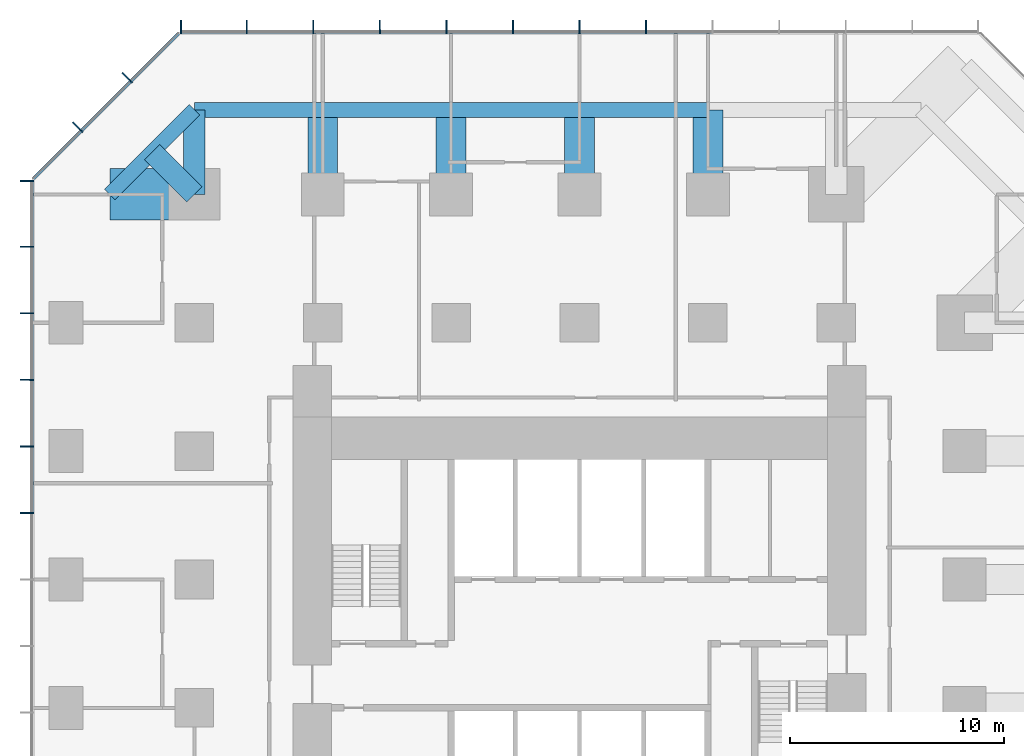
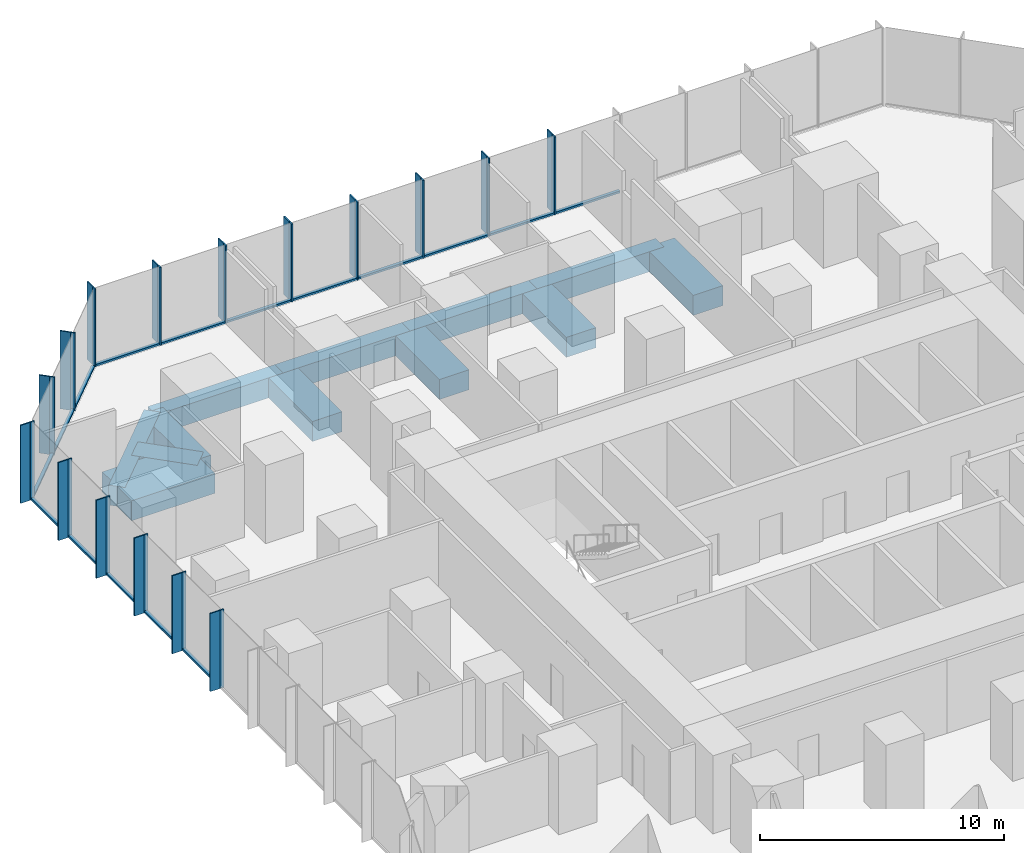
# One storey, part 5 of 12: 48 members, 12 beams, 3 elements without a shape of their own.
"""IFC4 building model written with IfcOpenShell, lengths in metres."""

from ifc_helpers import new_model, si_unit, direction, frame, origin, origin_2d, place, context, subcontext, project, spatial, rectangle, extrude, material, layer, layer_set, material_profile, profile_set, type_object, element, aggregate, save


model = new_model("IFC4")

# Units and contexts
model_context = context("Model", 3, precision=1e-05, world=origin(), true_north=direction((0.0, 1.0)))
body_context = subcontext(model_context, "Body", "Model", "MODEL_VIEW")
ifc_project = project(units=[si_unit("LENGTHUNIT", "METRE"), si_unit("AREAUNIT", "SQUARE_METRE"), si_unit("VOLUMEUNIT", "CUBIC_METRE"), si_unit("PLANEANGLEUNIT", "RADIAN"), si_unit("MASSUNIT", "GRAM", prefix="KILO")], contexts=[model_context])

# Site, building, storey
site_placement = place(None, origin())
site = spatial("IfcSite", under=ifc_project, at=site_placement, CompositionType="ELEMENT")
building_placement = place(site_placement, origin())
building = spatial("IfcBuilding", under=site, at=building_placement, Name="Highveld Stack Headquarters", CompositionType="ELEMENT")
storey_placement = place(building_placement, frame((0.0, 0.0, 65.0)))
storey = spatial("IfcBuildingStorey", under=building, at=storey_placement, Name="L15", CompositionType="ELEMENT", Elevation=65.0)

# Beams
ifc_material_1 = material(Name="Concrete C60/75", Category="concrete")
ifc_material_profile_1 = material_profile(ifc_material_1, rectangle(XDim=1.0, YDim=1.0, at=origin_2d()), Name="RC 1000x1000")
ifc_profile_set_1 = profile_set([ifc_material_profile_1], Name="Concrete C60/75")
beam_type_1 = type_object("IfcBeamType", Name="CANTILEVER RIB RC 1000x1000", PredefinedType="USERDEFINED", material=ifc_profile_set_1)
beam_1_placement = place(storey_placement, frame((-12.0, 24.0, -0.75), z_axis=(0.0, 1.0, 0.0), x_axis=(-1.0, 0.0, 0.0)))
element("IfcBeam", 1, at=beam_1_placement, inside=storey, type_object=beam_type_1, Name="Cantilever rib 4/J L15", ObjectType="CANTILEVER RIB", PredefinedType="USERDEFINED", context=body_context, shape_type="SweptSolid", body=[
    extrude(rectangle(XDim=1.0, YDim=1.0, at=origin_2d()), origin(), (0.0, 0.0, 1.0), 3.949951171875),
])
beam_2_placement = place(storey_placement, frame((-12.0, 24.0, -0.75), z_axis=(-0.707106781187, 0.707106781187, 0.0), x_axis=(-0.707106781187, -0.707106781187, 0.0)))
element("IfcBeam", 2, at=beam_2_placement, inside=storey, type_object=beam_type_1, Name="Cantilever rib 4/J L15", ObjectType="CANTILEVER RIB", PredefinedType="USERDEFINED", context=body_context, shape_type="SweptSolid", body=[
    extrude(rectangle(XDim=1.0, YDim=1.0, at=origin_2d()), origin(), (0.0, 0.0, 1.0), 2.793212890625),
])
ifc_material_2 = material(Name="Concrete C60/75", Category="concrete")
ifc_material_profile_2 = material_profile(ifc_material_2, rectangle(XDim=1.39990234375, YDim=1.0, at=origin_2d()), Name="RC 1400x1000")
ifc_profile_set_2 = profile_set([ifc_material_profile_2], Name="Concrete C60/75")
beam_type_2 = type_object("IfcBeamType", Name="CANTILEVER RIB RC 1400x1000", PredefinedType="USERDEFINED", material=ifc_profile_set_2)
for number, where, z_axis, x_axis, name in (
    (3, (-6.0, 24.0, -0.75), (0.0, 1.0, 0.0), (-1.0, 0.0, 0.0), "Cantilever rib 5/J L15"),
    (4, (0.0, 24.0, -0.75), (0.0, 1.0, 0.0), (-1.0, 0.0, 0.0), "Cantilever rib 6/J L15"),
    (5, (6.0, 24.0, -0.75), (0.0, 1.0, 0.0), (-1.0, 0.0, 0.0), "Cantilever rib 7/J L15"),
    (6, (12.0, 24.0, -0.75), (0.0, 1.0, 0.0), (-1.0, 0.0, 0.0), "Cantilever rib 8/J L15"),
):
    element("IfcBeam", number, at=place(storey_placement, frame(where, z_axis=z_axis, x_axis=x_axis)), inside=storey, type_object=beam_type_2, Name=name, ObjectType="CANTILEVER RIB", PredefinedType="USERDEFINED", context=body_context, shape_type="SweptSolid", body=[
        extrude(rectangle(XDim=1.39990234375, YDim=1.0, at=origin_2d()), origin(), (0.0, 0.0, 1.0), 3.949951171875),
    ])
ifc_material_3 = material(Name="Concrete C60/75", Category="concrete")
ifc_material_profile_3 = material_profile(ifc_material_3, rectangle(XDim=2.39990234375, YDim=1.0, at=origin_2d()), Name="RC 2400x1000")
ifc_profile_set_3 = profile_set([ifc_material_profile_3], Name="Concrete C60/75")
beam_type_3 = type_object("IfcBeamType", Name="CANTILEVER RIB RC 2400x1000", PredefinedType="USERDEFINED", material=ifc_profile_set_3)
beam_3_placement = place(storey_placement, frame((-12.0, 24.0, -0.75), z_axis=(-1.0, 0.0, 0.0), x_axis=(0.0, -1.0, 0.0)))
element("IfcBeam", 7, at=beam_3_placement, inside=storey, type_object=beam_type_3, Name="Cantilever rib 4/J L15", ObjectType="CANTILEVER RIB", PredefinedType="USERDEFINED", context=body_context, shape_type="SweptSolid", body=[
    extrude(rectangle(XDim=2.39990234375, YDim=1.0, at=origin_2d()), origin(), (0.0, 0.0, 1.0), 3.949951171875),
])

# Curtain wall, members
ifc_material_4 = material(Name="Aluminium bronze anodised", Category="aluminium")
ifc_layer_1 = layer(ifc_material_4, 0.199951171875)
ifc_layer_set_1 = layer_set([ifc_layer_1], Name="Aluminium bronze anodised")
curtain_wall_type_1 = type_object("IfcCurtainWallType", Name="CW1 TOWER UNITISED CURTAIN WALL", PredefinedType="NOTDEFINED", material=ifc_layer_set_1)
curtain_wall_1_placement = place(storey_placement, origin())
curtain_wall_1 = element("IfcCurtainWall", 8, at=curtain_wall_1_placement, inside=storey, type_object=curtain_wall_type_1, Name="Curtain wall CW1 L15 N", PredefinedType="NOTDEFINED")
ifc_material_5 = material(Name="Aluminium bronze anodised", Category="aluminium")
ifc_material_profile_4 = material_profile(ifc_material_5, rectangle(XDim=0.449951171875, YDim=0.06005859375, at=origin_2d()), Name="FIN 450x60")
ifc_profile_set_4 = profile_set([ifc_material_profile_4], Name="Aluminium bronze anodised")
member_type_1 = type_object("IfcMemberType", Name="CW1 BRONZE FIN 450x60", PredefinedType="USERDEFINED", material=ifc_profile_set_4)
member_1_placement = place(storey_placement, frame((9.110595703125, 31.925048828125, 0.0), z_axis=(0.0, 0.0, 1.0), x_axis=(0.0, -1.0, 0.0)))
member_1 = element("IfcMember", 9, at=member_1_placement, type_object=member_type_1, Name="CW1 fin L15 6", ObjectType="FIN", PredefinedType="USERDEFINED", context=body_context, shape_type="SweptSolid", body=[
    extrude(rectangle(XDim=0.449951171875, YDim=0.06005859375, at=origin_2d()), origin(), (0.0, 0.0, 1.0), 3.89990234375),
])
member_2_placement = place(storey_placement, frame((6.0, 31.925048828125, 0.0), z_axis=(0.0, 0.0, 1.0), x_axis=(0.0, -1.0, 0.0)))
member_2 = element("IfcMember", 10, at=member_2_placement, type_object=member_type_1, Name="CW1 fin L15 7", ObjectType="FIN", PredefinedType="USERDEFINED", context=body_context, shape_type="SweptSolid", body=[
    extrude(rectangle(XDim=0.449951171875, YDim=0.06005859375, at=origin_2d()), origin(), (0.0, 0.0, 1.0), 3.89990234375),
])
member_3_placement = place(storey_placement, frame((2.889404296875, 31.925048828125, 0.0), z_axis=(0.0, 0.0, 1.0), x_axis=(0.0, -1.0, 0.0)))
member_3 = element("IfcMember", 11, at=member_3_placement, type_object=member_type_1, Name="CW1 fin L15 8", ObjectType="FIN", PredefinedType="USERDEFINED", context=body_context, shape_type="SweptSolid", body=[
    extrude(rectangle(XDim=0.449951171875, YDim=0.06005859375, at=origin_2d()), origin(), (0.0, 0.0, 1.0), 3.89990234375),
])
member_4_placement = place(storey_placement, frame((-0.220947265625, 31.925048828125, 0.0), z_axis=(0.0, 0.0, 1.0), x_axis=(0.0, -1.0, 0.0)))
member_4 = element("IfcMember", 12, at=member_4_placement, type_object=member_type_1, Name="CW1 fin L15 9", ObjectType="FIN", PredefinedType="USERDEFINED", context=body_context, shape_type="SweptSolid", body=[
    extrude(rectangle(XDim=0.449951171875, YDim=0.06005859375, at=origin_2d()), origin(), (0.0, 0.0, 1.0), 3.89990234375),
])
member_5_placement = place(storey_placement, frame((-3.331298828125, 31.925048828125, 0.0), z_axis=(0.0, 0.0, 1.0), x_axis=(0.0, -1.0, 0.0)))
member_5 = element("IfcMember", 13, at=member_5_placement, type_object=member_type_1, Name="CW1 fin L15 10", ObjectType="FIN", PredefinedType="USERDEFINED", context=body_context, shape_type="SweptSolid", body=[
    extrude(rectangle(XDim=0.449951171875, YDim=0.06005859375, at=origin_2d()), origin(), (0.0, 0.0, 1.0), 3.89990234375),
])
member_6_placement = place(storey_placement, frame((-6.44189453125, 31.925048828125, 0.0), z_axis=(0.0, 0.0, 1.0), x_axis=(0.0, -1.0, 0.0)))
member_6 = element("IfcMember", 14, at=member_6_placement, type_object=member_type_1, Name="CW1 fin L15 11", ObjectType="FIN", PredefinedType="USERDEFINED", context=body_context, shape_type="SweptSolid", body=[
    extrude(rectangle(XDim=0.449951171875, YDim=0.06005859375, at=origin_2d()), origin(), (0.0, 0.0, 1.0), 3.89990234375),
])
member_7_placement = place(storey_placement, frame((-9.55224609375, 31.925048828125, 0.0), z_axis=(0.0, 0.0, 1.0), x_axis=(0.0, -1.0, 0.0)))
member_7 = element("IfcMember", 15, at=member_7_placement, type_object=member_type_1, Name="CW1 fin L15 12", ObjectType="FIN", PredefinedType="USERDEFINED", context=body_context, shape_type="SweptSolid", body=[
    extrude(rectangle(XDim=0.449951171875, YDim=0.06005859375, at=origin_2d()), origin(), (0.0, 0.0, 1.0), 3.89990234375),
])
member_8_placement = place(storey_placement, frame((-12.630126953125, 31.925048828125, 0.0), z_axis=(0.0, 0.0, 1.0), x_axis=(0.0, -1.0, 0.0)))
member_8 = element("IfcMember", 16, at=member_8_placement, type_object=member_type_1, Name="CW1 fin L15 13", ObjectType="FIN", PredefinedType="USERDEFINED", context=body_context, shape_type="SweptSolid", body=[
    extrude(rectangle(XDim=0.449951171875, YDim=0.06005859375, at=origin_2d()), origin(), (0.0, 0.0, 1.0), 3.89990234375),
])

curtain_wall_2_placement = place(storey_placement, origin())
curtain_wall_2 = element("IfcCurtainWall", 17, at=curtain_wall_2_placement, inside=storey, type_object=curtain_wall_type_1, Name="Curtain wall CW1 L15 W", PredefinedType="NOTDEFINED")
member_9_placement = place(storey_placement, frame((-19.925048828125, 24.630126953125, 0.0), z_axis=(0.0, 0.0, 1.0), x_axis=(1.0, 0.0, 0.0)))
member_9 = element("IfcMember", 18, at=member_9_placement, type_object=member_type_1, Name="CW1 fin L15 1", ObjectType="FIN", PredefinedType="USERDEFINED", context=body_context, shape_type="SweptSolid", body=[
    extrude(rectangle(XDim=0.449951171875, YDim=0.06005859375, at=origin_2d()), origin(), (0.0, 0.0, 1.0), 3.89990234375),
])
member_10_placement = place(storey_placement, frame((-19.925048828125, 21.55224609375, 0.0), z_axis=(0.0, 0.0, 1.0), x_axis=(1.0, 0.0, 0.0)))
member_10 = element("IfcMember", 19, at=member_10_placement, type_object=member_type_1, Name="CW1 fin L15 2", ObjectType="FIN", PredefinedType="USERDEFINED", context=body_context, shape_type="SweptSolid", body=[
    extrude(rectangle(XDim=0.449951171875, YDim=0.06005859375, at=origin_2d()), origin(), (0.0, 0.0, 1.0), 3.89990234375),
])
member_11_placement = place(storey_placement, frame((-19.925048828125, 18.44189453125, 0.0), z_axis=(0.0, 0.0, 1.0), x_axis=(1.0, 0.0, 0.0)))
member_11 = element("IfcMember", 20, at=member_11_placement, type_object=member_type_1, Name="CW1 fin L15 3", ObjectType="FIN", PredefinedType="USERDEFINED", context=body_context, shape_type="SweptSolid", body=[
    extrude(rectangle(XDim=0.449951171875, YDim=0.06005859375, at=origin_2d()), origin(), (0.0, 0.0, 1.0), 3.89990234375),
])
member_12_placement = place(storey_placement, frame((-19.925048828125, 15.331298828125, 0.0), z_axis=(0.0, 0.0, 1.0), x_axis=(1.0, 0.0, 0.0)))
member_12 = element("IfcMember", 21, at=member_12_placement, type_object=member_type_1, Name="CW1 fin L15 4", ObjectType="FIN", PredefinedType="USERDEFINED", context=body_context, shape_type="SweptSolid", body=[
    extrude(rectangle(XDim=0.449951171875, YDim=0.06005859375, at=origin_2d()), origin(), (0.0, 0.0, 1.0), 3.89990234375),
])
member_13_placement = place(storey_placement, frame((-19.925048828125, 12.220947265625, 0.0), z_axis=(0.0, 0.0, 1.0), x_axis=(1.0, 0.0, 0.0)))
member_13 = element("IfcMember", 22, at=member_13_placement, type_object=member_type_1, Name="CW1 fin L15 5", ObjectType="FIN", PredefinedType="USERDEFINED", context=body_context, shape_type="SweptSolid", body=[
    extrude(rectangle(XDim=0.449951171875, YDim=0.06005859375, at=origin_2d()), origin(), (0.0, 0.0, 1.0), 3.89990234375),
])
member_14_placement = place(storey_placement, frame((-19.925048828125, 9.110595703125, 0.0), z_axis=(0.0, 0.0, 1.0), x_axis=(1.0, 0.0, 0.0)))
member_14 = element("IfcMember", 23, at=member_14_placement, type_object=member_type_1, Name="CW1 fin L15 6", ObjectType="FIN", PredefinedType="USERDEFINED", context=body_context, shape_type="SweptSolid", body=[
    extrude(rectangle(XDim=0.449951171875, YDim=0.06005859375, at=origin_2d()), origin(), (0.0, 0.0, 1.0), 3.89990234375),
])

# Member
ifc_material_6 = material(Name="Aluminium bronze anodised", Category="aluminium")
ifc_material_profile_5 = material_profile(ifc_material_6, rectangle(XDim=0.199951171875, YDim=0.06494140625, at=origin_2d()), Name="CW1 MULLION 65x200")
ifc_profile_set_5 = profile_set([ifc_material_profile_5], Name="Aluminium bronze anodised")
member_type_2 = type_object("IfcMemberType", Name="CW1 MULLION 65x200", PredefinedType="MULLION", material=ifc_profile_set_5)
member_15_placement = place(storey_placement, frame((9.110595703125, 31.60009765625, 0.0), z_axis=(0.0, 0.0, 1.0), x_axis=(0.0, -1.0, 0.0)))
member_15 = element("IfcMember", 24, at=member_15_placement, type_object=member_type_2, Name="CW1 mullion L15 6", PredefinedType="MULLION", context=body_context, shape_type="SweptSolid", body=[
    extrude(rectangle(XDim=0.199951171875, YDim=0.06494140625, at=origin_2d()), origin(), (0.0, 0.0, 1.0), 3.89990234375),
])

member_16_placement = place(storey_placement, frame((6.0, 31.60009765625, 0.0), z_axis=(0.0, 0.0, 1.0), x_axis=(0.0, -1.0, 0.0)))
member_16 = element("IfcMember", 25, at=member_16_placement, type_object=member_type_2, Name="CW1 mullion L15 7", PredefinedType="MULLION", context=body_context, shape_type="SweptSolid", body=[
    extrude(rectangle(XDim=0.199951171875, YDim=0.06494140625, at=origin_2d()), origin(), (0.0, 0.0, 1.0), 3.89990234375),
])

member_17_placement = place(storey_placement, frame((2.889404296875, 31.60009765625, 0.0), z_axis=(0.0, 0.0, 1.0), x_axis=(0.0, -1.0, 0.0)))
member_17 = element("IfcMember", 26, at=member_17_placement, type_object=member_type_2, Name="CW1 mullion L15 8", PredefinedType="MULLION", context=body_context, shape_type="SweptSolid", body=[
    extrude(rectangle(XDim=0.199951171875, YDim=0.06494140625, at=origin_2d()), origin(), (0.0, 0.0, 1.0), 3.89990234375),
])

member_18_placement = place(storey_placement, frame((-0.220947265625, 31.60009765625, 0.0), z_axis=(0.0, 0.0, 1.0), x_axis=(0.0, -1.0, 0.0)))
member_18 = element("IfcMember", 27, at=member_18_placement, type_object=member_type_2, Name="CW1 mullion L15 9", PredefinedType="MULLION", context=body_context, shape_type="SweptSolid", body=[
    extrude(rectangle(XDim=0.199951171875, YDim=0.06494140625, at=origin_2d()), origin(), (0.0, 0.0, 1.0), 3.89990234375),
])

member_19_placement = place(storey_placement, frame((-3.331298828125, 31.60009765625, 0.0), z_axis=(0.0, 0.0, 1.0), x_axis=(0.0, -1.0, 0.0)))
member_19 = element("IfcMember", 28, at=member_19_placement, type_object=member_type_2, Name="CW1 mullion L15 10", PredefinedType="MULLION", context=body_context, shape_type="SweptSolid", body=[
    extrude(rectangle(XDim=0.199951171875, YDim=0.06494140625, at=origin_2d()), origin(), (0.0, 0.0, 1.0), 3.89990234375),
])

member_20_placement = place(storey_placement, frame((-6.44189453125, 31.60009765625, 0.0), z_axis=(0.0, 0.0, 1.0), x_axis=(0.0, -1.0, 0.0)))
member_20 = element("IfcMember", 29, at=member_20_placement, type_object=member_type_2, Name="CW1 mullion L15 11", PredefinedType="MULLION", context=body_context, shape_type="SweptSolid", body=[
    extrude(rectangle(XDim=0.199951171875, YDim=0.06494140625, at=origin_2d()), origin(), (0.0, 0.0, 1.0), 3.89990234375),
])

member_21_placement = place(storey_placement, frame((-9.55224609375, 31.60009765625, 0.0), z_axis=(0.0, 0.0, 1.0), x_axis=(0.0, -1.0, 0.0)))
member_21 = element("IfcMember", 30, at=member_21_placement, type_object=member_type_2, Name="CW1 mullion L15 12", PredefinedType="MULLION", context=body_context, shape_type="SweptSolid", body=[
    extrude(rectangle(XDim=0.199951171875, YDim=0.06494140625, at=origin_2d()), origin(), (0.0, 0.0, 1.0), 3.89990234375),
])

member_22_placement = place(storey_placement, frame((-12.630126953125, 31.60009765625, 0.0), z_axis=(0.0, 0.0, 1.0), x_axis=(0.0, -1.0, 0.0)))
member_22 = element("IfcMember", 31, at=member_22_placement, type_object=member_type_2, Name="CW1 mullion L15 13", PredefinedType="MULLION", context=body_context, shape_type="SweptSolid", body=[
    extrude(rectangle(XDim=0.199951171875, YDim=0.06494140625, at=origin_2d()), origin(), (0.0, 0.0, 1.0), 3.89990234375),
])

member_23_placement = place(storey_placement, frame((-19.60009765625, 24.630126953125, 0.0), z_axis=(0.0, 0.0, 1.0), x_axis=(1.0, 0.0, 0.0)))
member_23 = element("IfcMember", 32, at=member_23_placement, type_object=member_type_2, Name="CW1 mullion L15 1", PredefinedType="MULLION", context=body_context, shape_type="SweptSolid", body=[
    extrude(rectangle(XDim=0.199951171875, YDim=0.06494140625, at=origin_2d()), origin(), (0.0, 0.0, 1.0), 3.89990234375),
])

member_24_placement = place(storey_placement, frame((-19.60009765625, 21.55224609375, 0.0), z_axis=(0.0, 0.0, 1.0), x_axis=(1.0, 0.0, 0.0)))
member_24 = element("IfcMember", 33, at=member_24_placement, type_object=member_type_2, Name="CW1 mullion L15 2", PredefinedType="MULLION", context=body_context, shape_type="SweptSolid", body=[
    extrude(rectangle(XDim=0.199951171875, YDim=0.06494140625, at=origin_2d()), origin(), (0.0, 0.0, 1.0), 3.89990234375),
])

member_25_placement = place(storey_placement, frame((-19.60009765625, 18.44189453125, 0.0), z_axis=(0.0, 0.0, 1.0), x_axis=(1.0, 0.0, 0.0)))
member_25 = element("IfcMember", 34, at=member_25_placement, type_object=member_type_2, Name="CW1 mullion L15 3", PredefinedType="MULLION", context=body_context, shape_type="SweptSolid", body=[
    extrude(rectangle(XDim=0.199951171875, YDim=0.06494140625, at=origin_2d()), origin(), (0.0, 0.0, 1.0), 3.89990234375),
])

member_26_placement = place(storey_placement, frame((-19.60009765625, 15.331298828125, 0.0), z_axis=(0.0, 0.0, 1.0), x_axis=(1.0, 0.0, 0.0)))
member_26 = element("IfcMember", 35, at=member_26_placement, type_object=member_type_2, Name="CW1 mullion L15 4", PredefinedType="MULLION", context=body_context, shape_type="SweptSolid", body=[
    extrude(rectangle(XDim=0.199951171875, YDim=0.06494140625, at=origin_2d()), origin(), (0.0, 0.0, 1.0), 3.89990234375),
])

member_27_placement = place(storey_placement, frame((-19.60009765625, 12.220947265625, 0.0), z_axis=(0.0, 0.0, 1.0), x_axis=(1.0, 0.0, 0.0)))
member_27 = element("IfcMember", 36, at=member_27_placement, type_object=member_type_2, Name="CW1 mullion L15 5", PredefinedType="MULLION", context=body_context, shape_type="SweptSolid", body=[
    extrude(rectangle(XDim=0.199951171875, YDim=0.06494140625, at=origin_2d()), origin(), (0.0, 0.0, 1.0), 3.89990234375),
])

member_28_placement = place(storey_placement, frame((-19.60009765625, 9.110595703125, 0.0), z_axis=(0.0, 0.0, 1.0), x_axis=(1.0, 0.0, 0.0)))
member_28 = element("IfcMember", 37, at=member_28_placement, type_object=member_type_2, Name="CW1 mullion L15 6", PredefinedType="MULLION", context=body_context, shape_type="SweptSolid", body=[
    extrude(rectangle(XDim=0.199951171875, YDim=0.06494140625, at=origin_2d()), origin(), (0.0, 0.0, 1.0), 3.89990234375),
])

ifc_material_7 = material(Name="Aluminium bronze anodised", Category="aluminium")
ifc_material_profile_6 = material_profile(ifc_material_7, rectangle(XDim=0.14990234375, YDim=0.10009765625, at=origin_2d()), Name="CW1 TRANSOM 150x100")
ifc_profile_set_6 = profile_set([ifc_material_profile_6], Name="Aluminium bronze anodised")
member_type_3 = type_object("IfcMemberType", Name="CW1 STACK TRANSOM 150x100", PredefinedType="USERDEFINED", material=ifc_profile_set_6)
member_29_placement = place(storey_placement, frame((12.1884765625, 31.60009765625, 0.050048828125), z_axis=(-1.0, 0.0, 0.0), x_axis=(0.0, -1.0, 0.0)))
member_29 = element("IfcMember", 38, at=member_29_placement, type_object=member_type_3, Name="CW1 transom L15 5.1", ObjectType="TRANSOM", PredefinedType="USERDEFINED", context=body_context, shape_type="SweptSolid", body=[
    extrude(rectangle(XDim=0.14990234375, YDim=0.10009765625, at=origin_2d()), origin(), (0.0, 0.0, 1.0), 3.04541015625),
])

member_30_placement = place(storey_placement, frame((9.077880859375, 31.60009765625, 0.050048828125), z_axis=(-1.0, 0.0, 0.0), x_axis=(0.0, -1.0, 0.0)))
member_30 = element("IfcMember", 39, at=member_30_placement, type_object=member_type_3, Name="CW1 transom L15 6.1", ObjectType="TRANSOM", PredefinedType="USERDEFINED", context=body_context, shape_type="SweptSolid", body=[
    extrude(rectangle(XDim=0.14990234375, YDim=0.10009765625, at=origin_2d()), origin(), (0.0, 0.0, 1.0), 3.04541015625),
])

member_31_placement = place(storey_placement, frame((5.967529296875, 31.60009765625, 0.050048828125), z_axis=(-1.0, 0.0, 0.0), x_axis=(0.0, -1.0, 0.0)))
member_31 = element("IfcMember", 40, at=member_31_placement, type_object=member_type_3, Name="CW1 transom L15 7.1", ObjectType="TRANSOM", PredefinedType="USERDEFINED", context=body_context, shape_type="SweptSolid", body=[
    extrude(rectangle(XDim=0.14990234375, YDim=0.10009765625, at=origin_2d()), origin(), (0.0, 0.0, 1.0), 3.04541015625),
])

member_32_placement = place(storey_placement, frame((2.857177734375, 31.60009765625, 0.050048828125), z_axis=(-1.0, 0.0, 0.0), x_axis=(0.0, -1.0, 0.0)))
member_32 = element("IfcMember", 41, at=member_32_placement, type_object=member_type_3, Name="CW1 transom L15 8.1", ObjectType="TRANSOM", PredefinedType="USERDEFINED", context=body_context, shape_type="SweptSolid", body=[
    extrude(rectangle(XDim=0.14990234375, YDim=0.10009765625, at=origin_2d()), origin(), (0.0, 0.0, 1.0), 3.045654296875),
])

member_33_placement = place(storey_placement, frame((-0.25341796875, 31.60009765625, 0.050048828125), z_axis=(-1.0, 0.0, 0.0), x_axis=(0.0, -1.0, 0.0)))
member_33 = element("IfcMember", 42, at=member_33_placement, type_object=member_type_3, Name="CW1 transom L15 9.1", ObjectType="TRANSOM", PredefinedType="USERDEFINED", context=body_context, shape_type="SweptSolid", body=[
    extrude(rectangle(XDim=0.14990234375, YDim=0.10009765625, at=origin_2d()), origin(), (0.0, 0.0, 1.0), 3.04541015625),
])

member_34_placement = place(storey_placement, frame((-3.36376953125, 31.60009765625, 0.050048828125), z_axis=(-1.0, 0.0, 0.0), x_axis=(0.0, -1.0, 0.0)))
member_34 = element("IfcMember", 43, at=member_34_placement, type_object=member_type_3, Name="CW1 transom L15 10.1", ObjectType="TRANSOM", PredefinedType="USERDEFINED", context=body_context, shape_type="SweptSolid", body=[
    extrude(rectangle(XDim=0.14990234375, YDim=0.10009765625, at=origin_2d()), origin(), (0.0, 0.0, 1.0), 3.04541015625),
])

member_35_placement = place(storey_placement, frame((-6.474365234375, 31.60009765625, 0.050048828125), z_axis=(-1.0, 0.0, 0.0), x_axis=(0.0, -1.0, 0.0)))
member_35 = element("IfcMember", 44, at=member_35_placement, type_object=member_type_3, Name="CW1 transom L15 11.1", ObjectType="TRANSOM", PredefinedType="USERDEFINED", context=body_context, shape_type="SweptSolid", body=[
    extrude(rectangle(XDim=0.14990234375, YDim=0.10009765625, at=origin_2d()), origin(), (0.0, 0.0, 1.0), 3.04541015625),
])

member_36_placement = place(storey_placement, frame((-9.584716796875, 31.60009765625, 0.050048828125), z_axis=(-1.0, 0.0, 0.0), x_axis=(0.0, -1.0, 0.0)))
member_36 = element("IfcMember", 45, at=member_36_placement, type_object=member_type_3, Name="CW1 transom L15 12.1", ObjectType="TRANSOM", PredefinedType="USERDEFINED", context=body_context, shape_type="SweptSolid", body=[
    extrude(rectangle(XDim=0.14990234375, YDim=0.10009765625, at=origin_2d()), origin(), (0.0, 0.0, 1.0), 3.012939453125),
])

aggregate(curtain_wall_1, [member_15, member_1, member_16, member_2, member_17, member_3, member_18, member_4, member_19, member_5, member_20, member_6, member_21, member_7, member_22, member_8, member_29, member_30, member_31, member_32, member_33, member_34, member_35, member_36])

member_37_placement = place(storey_placement, frame((-19.60009765625, 24.59765625, 0.050048828125), z_axis=(0.0, -1.0, 0.0), x_axis=(1.0, 0.0, 0.0)))
member_37 = element("IfcMember", 46, at=member_37_placement, type_object=member_type_3, Name="CW1 transom L15 1.1", ObjectType="TRANSOM", PredefinedType="USERDEFINED", context=body_context, shape_type="SweptSolid", body=[
    extrude(rectangle(XDim=0.14990234375, YDim=0.10009765625, at=origin_2d()), origin(), (0.0, 0.0, 1.0), 3.012939453125),
])

member_38_placement = place(storey_placement, frame((-19.60009765625, 21.519775390625, 0.050048828125), z_axis=(0.0, -1.0, 0.0), x_axis=(1.0, 0.0, 0.0)))
member_38 = element("IfcMember", 47, at=member_38_placement, type_object=member_type_3, Name="CW1 transom L15 2.1", ObjectType="TRANSOM", PredefinedType="USERDEFINED", context=body_context, shape_type="SweptSolid", body=[
    extrude(rectangle(XDim=0.14990234375, YDim=0.10009765625, at=origin_2d()), origin(), (0.0, 0.0, 1.0), 3.04541015625),
])

member_39_placement = place(storey_placement, frame((-19.60009765625, 18.4091796875, 0.050048828125), z_axis=(0.0, -1.0, 0.0), x_axis=(1.0, 0.0, 0.0)))
member_39 = element("IfcMember", 48, at=member_39_placement, type_object=member_type_3, Name="CW1 transom L15 3.1", ObjectType="TRANSOM", PredefinedType="USERDEFINED", context=body_context, shape_type="SweptSolid", body=[
    extrude(rectangle(XDim=0.14990234375, YDim=0.10009765625, at=origin_2d()), origin(), (0.0, 0.0, 1.0), 3.045166015625),
])

member_40_placement = place(storey_placement, frame((-19.60009765625, 15.298828125, 0.050048828125), z_axis=(0.0, -1.0, 0.0), x_axis=(1.0, 0.0, 0.0)))
member_40 = element("IfcMember", 49, at=member_40_placement, type_object=member_type_3, Name="CW1 transom L15 4.1", ObjectType="TRANSOM", PredefinedType="USERDEFINED", context=body_context, shape_type="SweptSolid", body=[
    extrude(rectangle(XDim=0.14990234375, YDim=0.10009765625, at=origin_2d()), origin(), (0.0, 0.0, 1.0), 3.04541015625),
])

member_41_placement = place(storey_placement, frame((-19.60009765625, 12.1884765625, 0.050048828125), z_axis=(0.0, -1.0, 0.0), x_axis=(1.0, 0.0, 0.0)))
member_41 = element("IfcMember", 50, at=member_41_placement, type_object=member_type_3, Name="CW1 transom L15 5.1", ObjectType="TRANSOM", PredefinedType="USERDEFINED", context=body_context, shape_type="SweptSolid", body=[
    extrude(rectangle(XDim=0.14990234375, YDim=0.10009765625, at=origin_2d()), origin(), (0.0, 0.0, 1.0), 3.04541015625),
])

aggregate(curtain_wall_2, [member_23, member_9, member_24, member_10, member_25, member_11, member_26, member_12, member_27, member_13, member_28, member_14, member_37, member_38, member_39, member_40, member_41])

# Curtain wall, members
ifc_material_8 = material(Name="Aluminium bronze anodised", Category="aluminium")
ifc_layer_2 = layer(ifc_material_8, 0.199951171875)
ifc_layer_set_2 = layer_set([ifc_layer_2], Name="Aluminium bronze anodised")
curtain_wall_type_2 = type_object("IfcCurtainWallType", Name="CW2 TOWER CHAMFER UNITISED CURTAIN WALL", PredefinedType="NOTDEFINED", material=ifc_layer_set_2)
curtain_wall_3_placement = place(storey_placement, origin())
curtain_wall_3 = element("IfcCurtainWall", 51, at=curtain_wall_3_placement, inside=storey, type_object=curtain_wall_type_2, Name="Curtain wall CW2 L15 NW", PredefinedType="NOTDEFINED")
ifc_material_9 = material(Name="Aluminium bronze anodised", Category="aluminium")
ifc_material_profile_7 = material_profile(ifc_material_9, rectangle(XDim=0.449951171875, YDim=0.06005859375, at=origin_2d()), Name="FIN 450x60")
ifc_profile_set_7 = profile_set([ifc_material_profile_7], Name="Aluminium bronze anodised")
member_type_4 = type_object("IfcMemberType", Name="CW2 BRONZE FIN 450x60", PredefinedType="USERDEFINED", material=ifc_profile_set_7)
member_42_placement = place(storey_placement, frame((-15.204833984375, 29.517333984375, 0.0), z_axis=(0.0, 0.0, 1.0), x_axis=(0.707106781187, -0.707106781187, 0.0)))
member_42 = element("IfcMember", 52, at=member_42_placement, type_object=member_type_4, Name="CW2 fin L15 1", ObjectType="FIN", PredefinedType="USERDEFINED", context=body_context, shape_type="SweptSolid", body=[
    extrude(rectangle(XDim=0.449951171875, YDim=0.06005859375, at=origin_2d()), origin(), (0.0, 0.0, 1.0), 3.89990234375),
])
member_43_placement = place(storey_placement, frame((-17.517333984375, 27.204833984375, 0.0), z_axis=(0.0, 0.0, 1.0), x_axis=(0.707106781187, -0.707106781187, 0.0)))
member_43 = element("IfcMember", 53, at=member_43_placement, type_object=member_type_4, Name="CW2 fin L15 2", ObjectType="FIN", PredefinedType="USERDEFINED", context=body_context, shape_type="SweptSolid", body=[
    extrude(rectangle(XDim=0.449951171875, YDim=0.06005859375, at=origin_2d()), origin(), (0.0, 0.0, 1.0), 3.89990234375),
])
ifc_material_10 = material(Name="Aluminium bronze anodised", Category="aluminium")
ifc_material_profile_8 = material_profile(ifc_material_10, rectangle(XDim=0.199951171875, YDim=0.06494140625, at=origin_2d()), Name="CW2 MULLION 65x200")
ifc_profile_set_8 = profile_set([ifc_material_profile_8], Name="Aluminium bronze anodised")
member_type_5 = type_object("IfcMemberType", Name="CW2 MULLION 65x200", PredefinedType="MULLION", material=ifc_profile_set_8)
member_44_placement = place(storey_placement, frame((-14.97509765625, 29.28759765625, 0.0), z_axis=(0.0, 0.0, 1.0), x_axis=(0.707106781187, -0.707106781187, 0.0)))
member_44 = element("IfcMember", 54, at=member_44_placement, type_object=member_type_5, Name="CW2 mullion L15 1", PredefinedType="MULLION", context=body_context, shape_type="SweptSolid", body=[
    extrude(rectangle(XDim=0.199951171875, YDim=0.06494140625, at=origin_2d()), origin(), (0.0, 0.0, 1.0), 3.89990234375),
])
member_45_placement = place(storey_placement, frame((-17.28759765625, 26.97509765625, 0.0), z_axis=(0.0, 0.0, 1.0), x_axis=(0.707106781187, -0.707106781187, 0.0)))
member_45 = element("IfcMember", 55, at=member_45_placement, type_object=member_type_5, Name="CW2 mullion L15 2", PredefinedType="MULLION", context=body_context, shape_type="SweptSolid", body=[
    extrude(rectangle(XDim=0.199951171875, YDim=0.06494140625, at=origin_2d()), origin(), (0.0, 0.0, 1.0), 3.89990234375),
])
ifc_material_11 = material(Name="Aluminium bronze anodised", Category="aluminium")
ifc_material_profile_9 = material_profile(ifc_material_11, rectangle(XDim=0.14990234375, YDim=0.10009765625, at=origin_2d()), Name="CW2 TRANSOM 150x100")
ifc_profile_set_9 = profile_set([ifc_material_profile_9], Name="Aluminium bronze anodised")
member_type_6 = type_object("IfcMemberType", Name="CW2 STACK TRANSOM 150x100", PredefinedType="USERDEFINED", material=ifc_profile_set_9)
member_46_placement = place(storey_placement, frame((-12.7333984375, 31.529296875, 0.050048828125), z_axis=(-0.707106781187, -0.707106781187, 0.0), x_axis=(0.707106781187, -0.707106781187, 0.0)))
member_46 = element("IfcMember", 56, at=member_46_placement, type_object=member_type_6, Name="CW2 transom L15 1.1", ObjectType="TRANSOM", PredefinedType="USERDEFINED", context=body_context, shape_type="SweptSolid", body=[
    extrude(rectangle(XDim=0.14990234375, YDim=0.10009765625, at=origin_2d()), origin(), (0.0, 0.0, 1.0), 3.1376953125),
])
member_47_placement = place(storey_placement, frame((-14.998046875, 29.2646484375, 0.050048828125), z_axis=(-0.707106781187, -0.707106781187, 0.0), x_axis=(0.707106781187, -0.707106781187, 0.0)))
member_47 = element("IfcMember", 57, at=member_47_placement, type_object=member_type_6, Name="CW2 transom L15 2.1", ObjectType="TRANSOM", PredefinedType="USERDEFINED", context=body_context, shape_type="SweptSolid", body=[
    extrude(rectangle(XDim=0.14990234375, YDim=0.10009765625, at=origin_2d()), origin(), (0.0, 0.0, 1.0), 3.20556640625),
])
member_48_placement = place(storey_placement, frame((-17.310546875, 26.9521484375, 0.050048828125), z_axis=(-0.707106781187, -0.707106781187, 0.0), x_axis=(0.707106781187, -0.707106781187, 0.0)))
member_48 = element("IfcMember", 58, at=member_48_placement, type_object=member_type_6, Name="CW2 transom L15 3.1", ObjectType="TRANSOM", PredefinedType="USERDEFINED", context=body_context, shape_type="SweptSolid", body=[
    extrude(rectangle(XDim=0.14990234375, YDim=0.10009765625, at=origin_2d()), origin(), (0.0, 0.0, 1.0), 3.1376953125),
])
aggregate(curtain_wall_3, [member_44, member_42, member_45, member_43, member_46, member_47, member_48])

# Beams
ifc_material_12 = material(Name="Concrete C60/75", Category="concrete")
ifc_material_profile_10 = material_profile(ifc_material_12, rectangle(XDim=0.699951171875, YDim=1.0, at=origin_2d()), Name="RC 700x1000")
ifc_profile_set_10 = profile_set([ifc_material_profile_10], Name="Concrete C60/75")
beam_type_4 = type_object("IfcBeamType", Name="RIB TIP BEAM RC 700x1000", PredefinedType="SPANDREL", material=ifc_profile_set_10)
for number, where, z_axis, x_axis, name in (
    (59, (-12.0, 27.949951171875, -0.75), (1.0, 0.0, 0.0), (0.0, 1.0, 0.0), "Rib tip beam 4/J to 5/J L15"),
    (60, (-6.0, 27.949951171875, -0.75), (1.0, 0.0, 0.0), (0.0, 1.0, 0.0), "Rib tip beam 5/J to 6/J L15"),
    (61, (0.0, 27.949951171875, -0.75), (1.0, 0.0, 0.0), (0.0, 1.0, 0.0), "Rib tip beam 6/J to 7/J L15"),
    (62, (6.0, 27.949951171875, -0.75), (1.0, 0.0, 0.0), (0.0, 1.0, 0.0), "Rib tip beam 7/J to 8/J L15"),
):
    element("IfcBeam", number, at=place(storey_placement, frame(where, z_axis=z_axis, x_axis=x_axis)), inside=storey, type_object=beam_type_4, Name=name, PredefinedType="SPANDREL", context=body_context, shape_type="SweptSolid", body=[
        extrude(rectangle(XDim=0.699951171875, YDim=1.0, at=origin_2d()), origin(), (0.0, 0.0, 1.0), 6.0),
    ])
beam_4_placement = place(storey_placement, frame((-15.949951171875, 24.0, -0.75), z_axis=(0.707106781187, 0.707106781187, 0.0), x_axis=(-0.707106781187, 0.707106781187, 0.0)))
element("IfcBeam", 63, at=beam_4_placement, inside=storey, type_object=beam_type_4, Name="Rib tip beam 4/J corner L15", PredefinedType="SPANDREL", context=body_context, shape_type="SweptSolid", body=[
    extrude(rectangle(XDim=0.699951171875, YDim=1.0, at=origin_2d()), origin(), (0.0, 0.0, 1.0), 5.586181640625),
])

save(model, "model.ifc")
